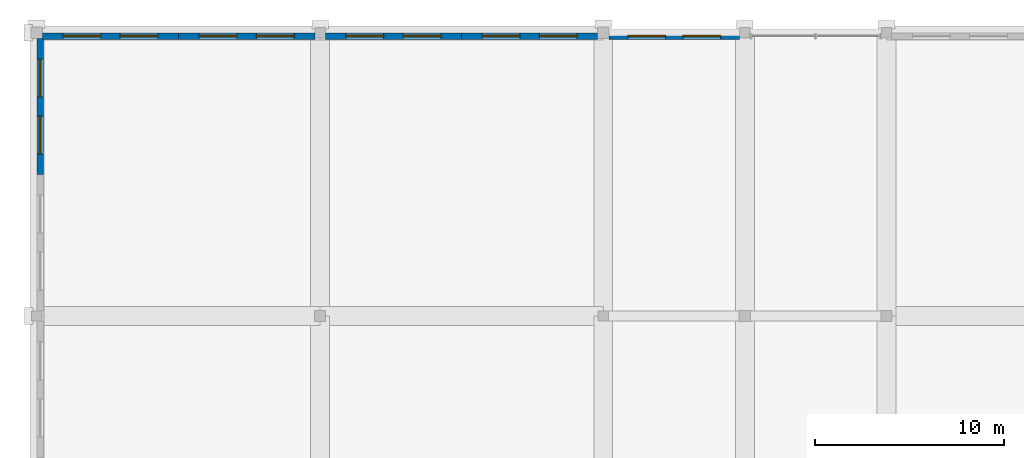
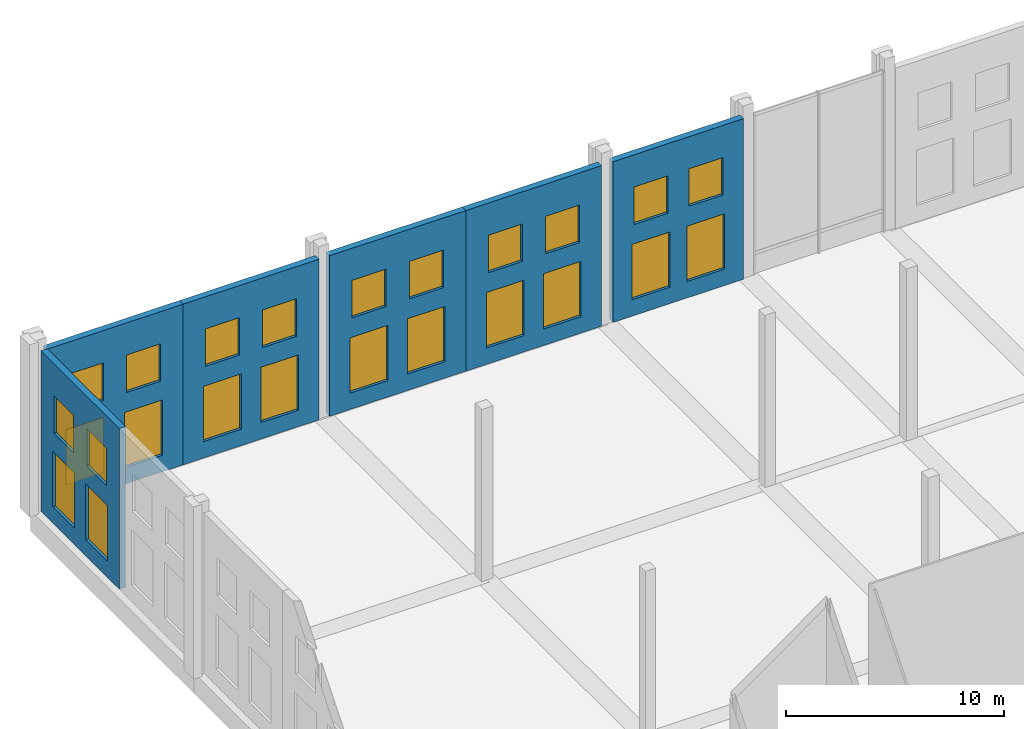
# One storey, part 67 of 80: 24 windows, 6 walls, 24 openings.
"""IFC4 building model written with IfcOpenShell, lengths in metres."""

from ifc_helpers import new_model, si_unit, direction, frame, frame_2d, origin, place, context, subcontext, project, spatial, rectangle, extrude, material, layer, layer_set, type_object, element, fill, save


model = new_model("IFC4")

# Units and contexts
model_context = context("Model", 3, precision=1e-05, world=origin(), true_north=direction((0.0, 1.0)))
body_context = subcontext(model_context, "Body", "Model", "MODEL_VIEW")
ifc_project = project(units=[si_unit("LENGTHUNIT", "METRE"), si_unit("AREAUNIT", "SQUARE_METRE"), si_unit("VOLUMEUNIT", "CUBIC_METRE"), si_unit("PLANEANGLEUNIT", "RADIAN"), si_unit("MASSUNIT", "GRAM", prefix="KILO")], contexts=[model_context])

# Site, building, storey
site_placement = place(None, origin())
site = spatial("IfcSite", under=ifc_project, at=site_placement, CompositionType="ELEMENT")
building_placement = place(site_placement, origin())
building = spatial("IfcBuilding", under=site, at=building_placement, Name="Akrevak Sports Hall", CompositionType="ELEMENT")
storey_placement = place(building_placement, frame((0.0, 0.0, 14.0)))
storey = spatial("IfcBuildingStorey", under=building, at=storey_placement, Name="L03", CompositionType="ELEMENT", Elevation=14.0)

# Wall, openings, windows
ifc_material_1 = material(Name="Limestone Ashlar", Category="stone")
ifc_layer_1 = layer(ifc_material_1, 0.070068359375, Name="Limestone Ashlar")
ifc_material_2 = material(Name="Mineral Wool Thermal Insulation", Category="insulation")
ifc_layer_2 = layer(ifc_material_2, 0.10009765625, Name="Mineral Wool Thermal Insulation")
ifc_material_3 = material(Name="Concrete C40/50", Category="concrete")
ifc_layer_3 = layer(ifc_material_3, 0.169921875, Name="Concrete C40/50")
ifc_layer_set = layer_set([ifc_layer_1, ifc_layer_2, ifc_layer_3], Name="Limestone Ashlar / Mineral Wool Thermal Insulation / Concrete C40/50")
wall_type = type_object("IfcWallType", Name="ARC-WL-EXT-340", PredefinedType="SOLIDWALL", material=ifc_layer_set)
wall_1_placement = place(storey_placement, frame((7.5, 113.830078125, 0.0), z_axis=(0.0, 0.0, 1.0), x_axis=(-1.0, 0.0, 0.0)))
wall_1 = element("IfcWall", 1, at=wall_1_placement, inside=storey, type_object=wall_type, Name="Exterior Limestone Wall L03-N01", PredefinedType="SOLIDWALL", context=body_context, shape_type="SweptSolid", body=[
    extrude(rectangle(XDim=7.199951171875, YDim=0.340087890625, at=frame_2d((3.60009765625, 0.0))), origin(), (0.0, 0.0, 1.0), 9.0),
])
opening_1_placement = place(wall_1_placement, frame((4.112060546875, 0.0, 0.919921875)))
opening_1 = element("IfcOpeningElement", 2, at=opening_1_placement, cuts=wall_1, Name="Opening WN-41", PredefinedType="OPENING", context=body_context, shape_type="SweptSolid", body=[
    extrude(rectangle(XDim=2.0, YDim=3.10009765625, at=frame_2d((1.0, 1.550048828125))), frame((0.0, 0.18212890625, 0.0), z_axis=(0.0, -1.0, 0.0), x_axis=(1.0, 0.0, 0.0)), (0.0, 0.0, 1.0), 0.364013671875),
])
opening_2_placement = place(wall_1_placement, frame((4.2119140625, 0.0, 5.10009765625)))
opening_2 = element("IfcOpeningElement", 3, at=opening_2_placement, cuts=wall_1, Name="Opening WN-37", PredefinedType="OPENING", context=body_context, shape_type="SweptSolid", body=[
    extrude(rectangle(XDim=1.800048828125, YDim=2.10009765625, at=frame_2d((0.89990234375, 1.050048828125))), frame((0.0, 0.18212890625, 0.0), z_axis=(0.0, -1.0, 0.0), x_axis=(1.0, 0.0, 0.0)), (0.0, 0.0, 1.0), 0.364013671875),
])
opening_3_placement = place(wall_1_placement, frame((1.087890625, 0.0, 0.919921875)))
opening_3 = element("IfcOpeningElement", 4, at=opening_3_placement, cuts=wall_1, Name="Opening WN-41", PredefinedType="OPENING", context=body_context, shape_type="SweptSolid", body=[
    extrude(rectangle(XDim=2.0, YDim=3.10009765625, at=frame_2d((1.0, 1.550048828125))), frame((0.0, 0.18212890625, 0.0), z_axis=(0.0, -1.0, 0.0), x_axis=(1.0, 0.0, 0.0)), (0.0, 0.0, 1.0), 0.364013671875),
])
opening_4_placement = place(wall_1_placement, frame((1.18798828125, 0.0, 5.10009765625)))
opening_4 = element("IfcOpeningElement", 5, at=opening_4_placement, cuts=wall_1, Name="Opening WN-37", PredefinedType="OPENING", context=body_context, shape_type="SweptSolid", body=[
    extrude(rectangle(XDim=1.800048828125, YDim=2.10009765625, at=frame_2d((0.89990234375, 1.050048828125))), frame((0.0, 0.18212890625, 0.0), z_axis=(0.0, -1.0, 0.0), x_axis=(1.0, 0.0, 0.0)), (0.0, 0.0, 1.0), 0.364013671875),
])
ifc_material_4 = material(Name="Thermally Broken Bronze Frame & Double Low-E Glass", Category="glass")
window_type_1 = type_object("IfcWindowType", Name="ARC-WIN-SZ-1800x2100", PartitioningType="SINGLE_PANEL", PredefinedType="WINDOW", material=ifc_material_4)
window_1_placement = place(opening_2_placement, origin())
window_1 = element("IfcWindow", 6, at=window_1_placement, inside=storey, type_object=window_type_1, Name="Beaux-Arts Attic Clerestory Window WIN-L03-N01-1U", OverallHeight=2.10009765625, OverallWidth=1.800048828125, PartitioningType="SINGLE_PANEL", PredefinedType="WINDOW", context=body_context, shape_type="SweptSolid", body=[
    extrude(rectangle(XDim=1.800048828125, YDim=2.10009765625, at=frame_2d((0.89990234375, 1.050048828125))), frame((0.0, 0.030029296875, 0.0), z_axis=(0.0, -1.0, 0.0), x_axis=(1.0, 0.0, 0.0)), (0.0, 0.0, 1.0), 0.06005859375),
])
fill(opening_2, window_1)
window_2_placement = place(opening_4_placement, origin())
window_2 = element("IfcWindow", 7, at=window_2_placement, inside=storey, type_object=window_type_1, Name="Beaux-Arts Attic Clerestory Window WIN-L03-N01-2U", OverallHeight=2.10009765625, OverallWidth=1.800048828125, PartitioningType="SINGLE_PANEL", PredefinedType="WINDOW", context=body_context, shape_type="SweptSolid", body=[
    extrude(rectangle(XDim=1.800048828125, YDim=2.10009765625, at=frame_2d((0.89990234375, 1.050048828125))), frame((0.0, 0.030029296875, 0.0), z_axis=(0.0, -1.0, 0.0), x_axis=(1.0, 0.0, 0.0)), (0.0, 0.0, 1.0), 0.06005859375),
])
fill(opening_4, window_2)
window_type_2 = type_object("IfcWindowType", Name="ARC-WIN-SZ-2000x3100", PartitioningType="SINGLE_PANEL", PredefinedType="WINDOW", material=ifc_material_4)
window_3_placement = place(opening_1_placement, origin())
window_3 = element("IfcWindow", 8, at=window_3_placement, inside=storey, type_object=window_type_2, Name="Beaux-Arts Facade Window WIN-L03-N01-1", OverallHeight=3.10009765625, OverallWidth=2.0, PartitioningType="SINGLE_PANEL", PredefinedType="WINDOW", context=body_context, shape_type="SweptSolid", body=[
    extrude(rectangle(XDim=2.0, YDim=3.10009765625, at=frame_2d((1.0, 1.550048828125))), frame((0.0, 0.030029296875, 0.0), z_axis=(0.0, -1.0, 0.0), x_axis=(1.0, 0.0, 0.0)), (0.0, 0.0, 1.0), 0.06005859375),
])
fill(opening_1, window_3)
window_4_placement = place(opening_3_placement, origin())
window_4 = element("IfcWindow", 9, at=window_4_placement, inside=storey, type_object=window_type_2, Name="Beaux-Arts Facade Window WIN-L03-N01-2", OverallHeight=3.10009765625, OverallWidth=2.0, PartitioningType="SINGLE_PANEL", PredefinedType="WINDOW", context=body_context, shape_type="SweptSolid", body=[
    extrude(rectangle(XDim=2.0, YDim=3.10009765625, at=frame_2d((1.0, 1.550048828125))), frame((0.0, 0.030029296875, 0.0), z_axis=(0.0, -1.0, 0.0), x_axis=(1.0, 0.0, 0.0)), (0.0, 0.0, 1.0), 0.06005859375),
])
fill(opening_3, window_4)

wall_2_placement = place(storey_placement, frame((14.72509765625, 113.830078125, 0.0), z_axis=(0.0, 0.0, 1.0), x_axis=(-1.0, 0.0, 0.0)))
wall_2 = element("IfcWall", 10, at=wall_2_placement, inside=storey, type_object=wall_type, Name="Exterior Limestone Wall L03-N02", PredefinedType="SOLIDWALL", context=body_context, shape_type="SweptSolid", body=[
    extrude(rectangle(XDim=7.22509765625, YDim=0.340087890625, at=frame_2d((3.612548828125, 0.0))), origin(), (0.0, 0.0, 1.0), 9.0),
])
opening_5_placement = place(wall_2_placement, frame((4.129638671875, 0.0, 0.919921875)))
opening_5 = element("IfcOpeningElement", 11, at=opening_5_placement, cuts=wall_2, Name="Opening WN-41", PredefinedType="OPENING", context=body_context, shape_type="SweptSolid", body=[
    extrude(rectangle(XDim=2.0, YDim=3.10009765625, at=frame_2d((1.0, 1.550048828125))), frame((0.0, 0.18212890625, 0.0), z_axis=(0.0, -1.0, 0.0), x_axis=(1.0, 0.0, 0.0)), (0.0, 0.0, 1.0), 0.364013671875),
])
opening_6_placement = place(wall_2_placement, frame((4.229736328125, 0.0, 5.10009765625)))
opening_6 = element("IfcOpeningElement", 12, at=opening_6_placement, cuts=wall_2, Name="Opening WN-37", PredefinedType="OPENING", context=body_context, shape_type="SweptSolid", body=[
    extrude(rectangle(XDim=1.800048828125, YDim=2.10009765625, at=frame_2d((0.89990234375, 1.050048828125))), frame((0.0, 0.18212890625, 0.0), z_axis=(0.0, -1.0, 0.0), x_axis=(1.0, 0.0, 0.0)), (0.0, 0.0, 1.0), 0.364013671875),
])
opening_7_placement = place(wall_2_placement, frame((1.09521484375, 0.0, 0.919921875)))
opening_7 = element("IfcOpeningElement", 13, at=opening_7_placement, cuts=wall_2, Name="Opening WN-41", PredefinedType="OPENING", context=body_context, shape_type="SweptSolid", body=[
    extrude(rectangle(XDim=2.0, YDim=3.10009765625, at=frame_2d((1.0, 1.550048828125))), frame((0.0, 0.18212890625, 0.0), z_axis=(0.0, -1.0, 0.0), x_axis=(1.0, 0.0, 0.0)), (0.0, 0.0, 1.0), 0.364013671875),
])
opening_8_placement = place(wall_2_placement, frame((1.1953125, 0.0, 5.10009765625)))
opening_8 = element("IfcOpeningElement", 14, at=opening_8_placement, cuts=wall_2, Name="Opening WN-37", PredefinedType="OPENING", context=body_context, shape_type="SweptSolid", body=[
    extrude(rectangle(XDim=1.800048828125, YDim=2.10009765625, at=frame_2d((0.89990234375, 1.050048828125))), frame((0.0, 0.18212890625, 0.0), z_axis=(0.0, -1.0, 0.0), x_axis=(1.0, 0.0, 0.0)), (0.0, 0.0, 1.0), 0.364013671875),
])
window_5_placement = place(opening_6_placement, origin())
window_5 = element("IfcWindow", 15, at=window_5_placement, inside=storey, type_object=window_type_1, Name="Beaux-Arts Attic Clerestory Window WIN-L03-N02-1U", OverallHeight=2.10009765625, OverallWidth=1.800048828125, PartitioningType="SINGLE_PANEL", PredefinedType="WINDOW", context=body_context, shape_type="SweptSolid", body=[
    extrude(rectangle(XDim=1.800048828125, YDim=2.10009765625, at=frame_2d((0.89990234375, 1.050048828125))), frame((0.0, 0.030029296875, 0.0), z_axis=(0.0, -1.0, 0.0), x_axis=(1.0, 0.0, 0.0)), (0.0, 0.0, 1.0), 0.06005859375),
])
fill(opening_6, window_5)
window_6_placement = place(opening_8_placement, origin())
window_6 = element("IfcWindow", 16, at=window_6_placement, inside=storey, type_object=window_type_1, Name="Beaux-Arts Attic Clerestory Window WIN-L03-N02-2U", OverallHeight=2.10009765625, OverallWidth=1.800048828125, PartitioningType="SINGLE_PANEL", PredefinedType="WINDOW", context=body_context, shape_type="SweptSolid", body=[
    extrude(rectangle(XDim=1.800048828125, YDim=2.10009765625, at=frame_2d((0.89990234375, 1.050048828125))), frame((0.0, 0.030029296875, 0.0), z_axis=(0.0, -1.0, 0.0), x_axis=(1.0, 0.0, 0.0)), (0.0, 0.0, 1.0), 0.06005859375),
])
fill(opening_8, window_6)
window_7_placement = place(opening_5_placement, origin())
window_7 = element("IfcWindow", 17, at=window_7_placement, inside=storey, type_object=window_type_2, Name="Beaux-Arts Facade Window WIN-L03-N02-1", OverallHeight=3.10009765625, OverallWidth=2.0, PartitioningType="SINGLE_PANEL", PredefinedType="WINDOW", context=body_context, shape_type="SweptSolid", body=[
    extrude(rectangle(XDim=2.0, YDim=3.10009765625, at=frame_2d((1.0, 1.550048828125))), frame((0.0, 0.030029296875, 0.0), z_axis=(0.0, -1.0, 0.0), x_axis=(1.0, 0.0, 0.0)), (0.0, 0.0, 1.0), 0.06005859375),
])
fill(opening_5, window_7)
window_8_placement = place(opening_7_placement, origin())
window_8 = element("IfcWindow", 18, at=window_8_placement, inside=storey, type_object=window_type_2, Name="Beaux-Arts Facade Window WIN-L03-N02-2", OverallHeight=3.10009765625, OverallWidth=2.0, PartitioningType="SINGLE_PANEL", PredefinedType="WINDOW", context=body_context, shape_type="SweptSolid", body=[
    extrude(rectangle(XDim=2.0, YDim=3.10009765625, at=frame_2d((1.0, 1.550048828125))), frame((0.0, 0.030029296875, 0.0), z_axis=(0.0, -1.0, 0.0), x_axis=(1.0, 0.0, 0.0)), (0.0, 0.0, 1.0), 0.06005859375),
])
fill(opening_7, window_8)

wall_3_placement = place(storey_placement, frame((22.5, 113.830078125, 0.0), z_axis=(0.0, 0.0, 1.0), x_axis=(-1.0, 0.0, 0.0)))
wall_3 = element("IfcWall", 19, at=wall_3_placement, inside=storey, type_object=wall_type, Name="Exterior Limestone Wall L03-N03", PredefinedType="SOLIDWALL", context=body_context, shape_type="SweptSolid", body=[
    extrude(rectangle(XDim=7.22509765625, YDim=0.340087890625, at=frame_2d((3.612548828125, 0.0))), origin(), (0.0, 0.0, 1.0), 9.0),
])
opening_9_placement = place(wall_3_placement, frame((4.1298828125, 0.0, 0.919921875)))
opening_9 = element("IfcOpeningElement", 20, at=opening_9_placement, cuts=wall_3, Name="Opening WN-41", PredefinedType="OPENING", context=body_context, shape_type="SweptSolid", body=[
    extrude(rectangle(XDim=2.0, YDim=3.10009765625, at=frame_2d((1.0, 1.550048828125))), frame((0.0, 0.18212890625, 0.0), z_axis=(0.0, -1.0, 0.0), x_axis=(1.0, 0.0, 0.0)), (0.0, 0.0, 1.0), 0.364013671875),
])
opening_10_placement = place(wall_3_placement, frame((4.229736328125, 0.0, 5.10009765625)))
opening_10 = element("IfcOpeningElement", 21, at=opening_10_placement, cuts=wall_3, Name="Opening WN-37", PredefinedType="OPENING", context=body_context, shape_type="SweptSolid", body=[
    extrude(rectangle(XDim=1.800048828125, YDim=2.10009765625, at=frame_2d((0.89990234375, 1.050048828125))), frame((0.0, 0.18212890625, 0.0), z_axis=(0.0, -1.0, 0.0), x_axis=(1.0, 0.0, 0.0)), (0.0, 0.0, 1.0), 0.364013671875),
])
opening_11_placement = place(wall_3_placement, frame((1.09521484375, 0.0, 0.919921875)))
opening_11 = element("IfcOpeningElement", 22, at=opening_11_placement, cuts=wall_3, Name="Opening WN-41", PredefinedType="OPENING", context=body_context, shape_type="SweptSolid", body=[
    extrude(rectangle(XDim=2.0, YDim=3.10009765625, at=frame_2d((1.0, 1.550048828125))), frame((0.0, 0.18212890625, 0.0), z_axis=(0.0, -1.0, 0.0), x_axis=(1.0, 0.0, 0.0)), (0.0, 0.0, 1.0), 0.364013671875),
])
opening_12_placement = place(wall_3_placement, frame((1.1953125, 0.0, 5.10009765625)))
opening_12 = element("IfcOpeningElement", 23, at=opening_12_placement, cuts=wall_3, Name="Opening WN-37", PredefinedType="OPENING", context=body_context, shape_type="SweptSolid", body=[
    extrude(rectangle(XDim=1.800048828125, YDim=2.10009765625, at=frame_2d((0.89990234375, 1.050048828125))), frame((0.0, 0.18212890625, 0.0), z_axis=(0.0, -1.0, 0.0), x_axis=(1.0, 0.0, 0.0)), (0.0, 0.0, 1.0), 0.364013671875),
])
window_9_placement = place(opening_10_placement, origin())
window_9 = element("IfcWindow", 24, at=window_9_placement, inside=storey, type_object=window_type_1, Name="Beaux-Arts Attic Clerestory Window WIN-L03-N03-1U", OverallHeight=2.10009765625, OverallWidth=1.800048828125, PartitioningType="SINGLE_PANEL", PredefinedType="WINDOW", context=body_context, shape_type="SweptSolid", body=[
    extrude(rectangle(XDim=1.800048828125, YDim=2.10009765625, at=frame_2d((0.89990234375, 1.050048828125))), frame((0.0, 0.030029296875, 0.0), z_axis=(0.0, -1.0, 0.0), x_axis=(1.0, 0.0, 0.0)), (0.0, 0.0, 1.0), 0.06005859375),
])
fill(opening_10, window_9)
window_10_placement = place(opening_12_placement, origin())
window_10 = element("IfcWindow", 25, at=window_10_placement, inside=storey, type_object=window_type_1, Name="Beaux-Arts Attic Clerestory Window WIN-L03-N03-2U", OverallHeight=2.10009765625, OverallWidth=1.800048828125, PartitioningType="SINGLE_PANEL", PredefinedType="WINDOW", context=body_context, shape_type="SweptSolid", body=[
    extrude(rectangle(XDim=1.800048828125, YDim=2.10009765625, at=frame_2d((0.89990234375, 1.050048828125))), frame((0.0, 0.030029296875, 0.0), z_axis=(0.0, -1.0, 0.0), x_axis=(1.0, 0.0, 0.0)), (0.0, 0.0, 1.0), 0.06005859375),
])
fill(opening_12, window_10)
window_11_placement = place(opening_9_placement, origin())
window_11 = element("IfcWindow", 26, at=window_11_placement, inside=storey, type_object=window_type_2, Name="Beaux-Arts Facade Window WIN-L03-N03-1", OverallHeight=3.10009765625, OverallWidth=2.0, PartitioningType="SINGLE_PANEL", PredefinedType="WINDOW", context=body_context, shape_type="SweptSolid", body=[
    extrude(rectangle(XDim=2.0, YDim=3.10009765625, at=frame_2d((1.0, 1.550048828125))), frame((0.0, 0.030029296875, 0.0), z_axis=(0.0, -1.0, 0.0), x_axis=(1.0, 0.0, 0.0)), (0.0, 0.0, 1.0), 0.06005859375),
])
fill(opening_9, window_11)
window_12_placement = place(opening_11_placement, origin())
window_12 = element("IfcWindow", 27, at=window_12_placement, inside=storey, type_object=window_type_2, Name="Beaux-Arts Facade Window WIN-L03-N03-2", OverallHeight=3.10009765625, OverallWidth=2.0, PartitioningType="SINGLE_PANEL", PredefinedType="WINDOW", context=body_context, shape_type="SweptSolid", body=[
    extrude(rectangle(XDim=2.0, YDim=3.10009765625, at=frame_2d((1.0, 1.550048828125))), frame((0.0, 0.030029296875, 0.0), z_axis=(0.0, -1.0, 0.0), x_axis=(1.0, 0.0, 0.0)), (0.0, 0.0, 1.0), 0.06005859375),
])
fill(opening_11, window_12)

wall_4_placement = place(storey_placement, frame((29.699951171875, 113.830078125, 0.0), z_axis=(0.0, 0.0, 1.0), x_axis=(-1.0, 0.0, 0.0)))
wall_4 = element("IfcWall", 28, at=wall_4_placement, inside=storey, type_object=wall_type, Name="Exterior Limestone Wall L03-N04", PredefinedType="SOLIDWALL", context=body_context, shape_type="SweptSolid", body=[
    extrude(rectangle(XDim=7.199951171875, YDim=0.340087890625, at=frame_2d((3.60009765625, 0.0))), origin(), (0.0, 0.0, 1.0), 9.0),
])
opening_13_placement = place(wall_4_placement, frame((4.112060546875, 0.0, 0.919921875)))
opening_13 = element("IfcOpeningElement", 29, at=opening_13_placement, cuts=wall_4, Name="Opening WN-41", PredefinedType="OPENING", context=body_context, shape_type="SweptSolid", body=[
    extrude(rectangle(XDim=2.0, YDim=3.10009765625, at=frame_2d((1.0, 1.550048828125))), frame((0.0, 0.18212890625, 0.0), z_axis=(0.0, -1.0, 0.0), x_axis=(1.0, 0.0, 0.0)), (0.0, 0.0, 1.0), 0.364013671875),
])
opening_14_placement = place(wall_4_placement, frame((4.2119140625, 0.0, 5.10009765625)))
opening_14 = element("IfcOpeningElement", 30, at=opening_14_placement, cuts=wall_4, Name="Opening WN-37", PredefinedType="OPENING", context=body_context, shape_type="SweptSolid", body=[
    extrude(rectangle(XDim=1.800048828125, YDim=2.10009765625, at=frame_2d((0.89990234375, 1.050048828125))), frame((0.0, 0.18212890625, 0.0), z_axis=(0.0, -1.0, 0.0), x_axis=(1.0, 0.0, 0.0)), (0.0, 0.0, 1.0), 0.364013671875),
])
opening_15_placement = place(wall_4_placement, frame((1.087890625, 0.0, 0.919921875)))
opening_15 = element("IfcOpeningElement", 31, at=opening_15_placement, cuts=wall_4, Name="Opening WN-41", PredefinedType="OPENING", context=body_context, shape_type="SweptSolid", body=[
    extrude(rectangle(XDim=2.0, YDim=3.10009765625, at=frame_2d((1.0, 1.550048828125))), frame((0.0, 0.18212890625, 0.0), z_axis=(0.0, -1.0, 0.0), x_axis=(1.0, 0.0, 0.0)), (0.0, 0.0, 1.0), 0.364013671875),
])
opening_16_placement = place(wall_4_placement, frame((1.18798828125, 0.0, 5.10009765625)))
opening_16 = element("IfcOpeningElement", 32, at=opening_16_placement, cuts=wall_4, Name="Opening WN-37", PredefinedType="OPENING", context=body_context, shape_type="SweptSolid", body=[
    extrude(rectangle(XDim=1.800048828125, YDim=2.10009765625, at=frame_2d((0.89990234375, 1.050048828125))), frame((0.0, 0.18212890625, 0.0), z_axis=(0.0, -1.0, 0.0), x_axis=(1.0, 0.0, 0.0)), (0.0, 0.0, 1.0), 0.364013671875),
])
window_13_placement = place(opening_14_placement, origin())
window_13 = element("IfcWindow", 33, at=window_13_placement, inside=storey, type_object=window_type_1, Name="Beaux-Arts Attic Clerestory Window WIN-L03-N04-1U", OverallHeight=2.10009765625, OverallWidth=1.800048828125, PartitioningType="SINGLE_PANEL", PredefinedType="WINDOW", context=body_context, shape_type="SweptSolid", body=[
    extrude(rectangle(XDim=1.800048828125, YDim=2.10009765625, at=frame_2d((0.89990234375, 1.050048828125))), frame((0.0, 0.030029296875, 0.0), z_axis=(0.0, -1.0, 0.0), x_axis=(1.0, 0.0, 0.0)), (0.0, 0.0, 1.0), 0.06005859375),
])
fill(opening_14, window_13)
window_14_placement = place(opening_16_placement, origin())
window_14 = element("IfcWindow", 34, at=window_14_placement, inside=storey, type_object=window_type_1, Name="Beaux-Arts Attic Clerestory Window WIN-L03-N04-2U", OverallHeight=2.10009765625, OverallWidth=1.800048828125, PartitioningType="SINGLE_PANEL", PredefinedType="WINDOW", context=body_context, shape_type="SweptSolid", body=[
    extrude(rectangle(XDim=1.800048828125, YDim=2.10009765625, at=frame_2d((0.89990234375, 1.050048828125))), frame((0.0, 0.030029296875, 0.0), z_axis=(0.0, -1.0, 0.0), x_axis=(1.0, 0.0, 0.0)), (0.0, 0.0, 1.0), 0.06005859375),
])
fill(opening_16, window_14)
window_15_placement = place(opening_13_placement, origin())
window_15 = element("IfcWindow", 35, at=window_15_placement, inside=storey, type_object=window_type_2, Name="Beaux-Arts Facade Window WIN-L03-N04-1", OverallHeight=3.10009765625, OverallWidth=2.0, PartitioningType="SINGLE_PANEL", PredefinedType="WINDOW", context=body_context, shape_type="SweptSolid", body=[
    extrude(rectangle(XDim=2.0, YDim=3.10009765625, at=frame_2d((1.0, 1.550048828125))), frame((0.0, 0.030029296875, 0.0), z_axis=(0.0, -1.0, 0.0), x_axis=(1.0, 0.0, 0.0)), (0.0, 0.0, 1.0), 0.06005859375),
])
fill(opening_13, window_15)
window_16_placement = place(opening_15_placement, origin())
window_16 = element("IfcWindow", 36, at=window_16_placement, inside=storey, type_object=window_type_2, Name="Beaux-Arts Facade Window WIN-L03-N04-2", OverallHeight=3.10009765625, OverallWidth=2.0, PartitioningType="SINGLE_PANEL", PredefinedType="WINDOW", context=body_context, shape_type="SweptSolid", body=[
    extrude(rectangle(XDim=2.0, YDim=3.10009765625, at=frame_2d((1.0, 1.550048828125))), frame((0.0, 0.030029296875, 0.0), z_axis=(0.0, -1.0, 0.0), x_axis=(1.0, 0.0, 0.0)), (0.0, 0.0, 1.0), 0.06005859375),
])
fill(opening_15, window_16)

wall_5_placement = place(storey_placement, frame((37.22509765625, 113.830078125, 0.0), z_axis=(0.0, 0.0, 1.0), x_axis=(-1.0, 0.0, 0.0)))
wall_5 = element("IfcWall", 37, at=wall_5_placement, inside=storey, type_object=wall_type, Name="Exterior Limestone Wall L03-N05", PredefinedType="SOLIDWALL", context=body_context, shape_type="SweptSolid", body=[
    extrude(rectangle(XDim=6.925048828125, YDim=0.340087890625, at=frame_2d((3.46240234375, 0.0))), origin(), (0.0, 0.0, 1.0), 9.0),
])
opening_17_placement = place(wall_5_placement, frame((3.916748046875, 0.0, 0.919921875)))
opening_17 = element("IfcOpeningElement", 38, at=opening_17_placement, cuts=wall_5, Name="Opening WN-41", PredefinedType="OPENING", context=body_context, shape_type="SweptSolid", body=[
    extrude(rectangle(XDim=2.0, YDim=3.10009765625, at=frame_2d((1.0, 1.550048828125))), frame((0.0, 0.18212890625, 0.0), z_axis=(0.0, -1.0, 0.0), x_axis=(1.0, 0.0, 0.0)), (0.0, 0.0, 1.0), 0.364013671875),
])
opening_18_placement = place(wall_5_placement, frame((4.016845703125, 0.0, 5.10009765625)))
opening_18 = element("IfcOpeningElement", 39, at=opening_18_placement, cuts=wall_5, Name="Opening WN-37", PredefinedType="OPENING", context=body_context, shape_type="SweptSolid", body=[
    extrude(rectangle(XDim=1.800048828125, YDim=2.10009765625, at=frame_2d((0.89990234375, 1.050048828125))), frame((0.0, 0.18212890625, 0.0), z_axis=(0.0, -1.0, 0.0), x_axis=(1.0, 0.0, 0.0)), (0.0, 0.0, 1.0), 0.364013671875),
])
opening_19_placement = place(wall_5_placement, frame((1.00830078125, 0.0, 0.919921875)))
opening_19 = element("IfcOpeningElement", 40, at=opening_19_placement, cuts=wall_5, Name="Opening WN-41", PredefinedType="OPENING", context=body_context, shape_type="SweptSolid", body=[
    extrude(rectangle(XDim=2.0, YDim=3.10009765625, at=frame_2d((1.0, 1.550048828125))), frame((0.0, 0.18212890625, 0.0), z_axis=(0.0, -1.0, 0.0), x_axis=(1.0, 0.0, 0.0)), (0.0, 0.0, 1.0), 0.364013671875),
])
opening_20_placement = place(wall_5_placement, frame((1.1083984375, 0.0, 5.10009765625)))
opening_20 = element("IfcOpeningElement", 41, at=opening_20_placement, cuts=wall_5, Name="Opening WN-37", PredefinedType="OPENING", context=body_context, shape_type="SweptSolid", body=[
    extrude(rectangle(XDim=1.800048828125, YDim=2.10009765625, at=frame_2d((0.89990234375, 1.050048828125))), frame((0.0, 0.18212890625, 0.0), z_axis=(0.0, -1.0, 0.0), x_axis=(1.0, 0.0, 0.0)), (0.0, 0.0, 1.0), 0.364013671875),
])
window_17_placement = place(opening_18_placement, origin())
window_17 = element("IfcWindow", 42, at=window_17_placement, inside=storey, type_object=window_type_1, Name="Beaux-Arts Attic Clerestory Window WIN-L03-N05-1U", OverallHeight=2.10009765625, OverallWidth=1.800048828125, PartitioningType="SINGLE_PANEL", PredefinedType="WINDOW", context=body_context, shape_type="SweptSolid", body=[
    extrude(rectangle(XDim=1.800048828125, YDim=2.10009765625, at=frame_2d((0.89990234375, 1.050048828125))), frame((0.0, 0.030029296875, 0.0), z_axis=(0.0, -1.0, 0.0), x_axis=(1.0, 0.0, 0.0)), (0.0, 0.0, 1.0), 0.06005859375),
])
fill(opening_18, window_17)
window_18_placement = place(opening_20_placement, origin())
window_18 = element("IfcWindow", 43, at=window_18_placement, inside=storey, type_object=window_type_1, Name="Beaux-Arts Attic Clerestory Window WIN-L03-N05-2U", OverallHeight=2.10009765625, OverallWidth=1.800048828125, PartitioningType="SINGLE_PANEL", PredefinedType="WINDOW", context=body_context, shape_type="SweptSolid", body=[
    extrude(rectangle(XDim=1.800048828125, YDim=2.10009765625, at=frame_2d((0.89990234375, 1.050048828125))), frame((0.0, 0.030029296875, 0.0), z_axis=(0.0, -1.0, 0.0), x_axis=(1.0, 0.0, 0.0)), (0.0, 0.0, 1.0), 0.06005859375),
])
fill(opening_20, window_18)
window_19_placement = place(opening_17_placement, origin())
window_19 = element("IfcWindow", 44, at=window_19_placement, inside=storey, type_object=window_type_2, Name="Beaux-Arts Facade Window WIN-L03-N05-1", OverallHeight=3.10009765625, OverallWidth=2.0, PartitioningType="SINGLE_PANEL", PredefinedType="WINDOW", context=body_context, shape_type="SweptSolid", body=[
    extrude(rectangle(XDim=2.0, YDim=3.10009765625, at=frame_2d((1.0, 1.550048828125))), frame((0.0, 0.030029296875, 0.0), z_axis=(0.0, -1.0, 0.0), x_axis=(1.0, 0.0, 0.0)), (0.0, 0.0, 1.0), 0.06005859375),
])
fill(opening_17, window_19)
window_20_placement = place(opening_19_placement, origin())
window_20 = element("IfcWindow", 45, at=window_20_placement, inside=storey, type_object=window_type_2, Name="Beaux-Arts Facade Window WIN-L03-N05-2", OverallHeight=3.10009765625, OverallWidth=2.0, PartitioningType="SINGLE_PANEL", PredefinedType="WINDOW", context=body_context, shape_type="SweptSolid", body=[
    extrude(rectangle(XDim=2.0, YDim=3.10009765625, at=frame_2d((1.0, 1.550048828125))), frame((0.0, 0.030029296875, 0.0), z_axis=(0.0, -1.0, 0.0), x_axis=(1.0, 0.0, 0.0)), (0.0, 0.0, 1.0), 0.06005859375),
])
fill(opening_19, window_20)

wall_6_placement = place(storey_placement, frame((0.169921875, 113.699951171875, 0.0), z_axis=(0.0, 0.0, 1.0), x_axis=(0.0, -1.0, 0.0)))
wall_6 = element("IfcWall", 46, at=wall_6_placement, inside=storey, type_object=wall_type, Name="Exterior Limestone Wall L03-W14", PredefinedType="SOLIDWALL", context=body_context, shape_type="SweptSolid", body=[
    extrude(rectangle(XDim=7.199951171875, YDim=0.340087890625, at=frame_2d((3.60009765625, 0.0))), origin(), (0.0, 0.0, 1.0), 9.0),
])
opening_21_placement = place(wall_6_placement, frame((4.112060546875, 0.0, 0.919921875)))
opening_21 = element("IfcOpeningElement", 47, at=opening_21_placement, cuts=wall_6, Name="Opening WN-41", PredefinedType="OPENING", context=body_context, shape_type="SweptSolid", body=[
    extrude(rectangle(XDim=2.0, YDim=3.10009765625, at=frame_2d((1.0, 1.550048828125))), frame((0.0, 0.18212890625, 0.0), z_axis=(0.0, -1.0, 0.0), x_axis=(1.0, 0.0, 0.0)), (0.0, 0.0, 1.0), 0.364013671875),
])
opening_22_placement = place(wall_6_placement, frame((4.2119140625, 0.0, 5.10009765625)))
opening_22 = element("IfcOpeningElement", 48, at=opening_22_placement, cuts=wall_6, Name="Opening WN-37", PredefinedType="OPENING", context=body_context, shape_type="SweptSolid", body=[
    extrude(rectangle(XDim=1.800048828125, YDim=2.10009765625, at=frame_2d((0.89990234375, 1.050048828125))), frame((0.0, 0.18212890625, 0.0), z_axis=(0.0, -1.0, 0.0), x_axis=(1.0, 0.0, 0.0)), (0.0, 0.0, 1.0), 0.364013671875),
])
opening_23_placement = place(wall_6_placement, frame((1.087890625, 0.0, 0.919921875)))
opening_23 = element("IfcOpeningElement", 49, at=opening_23_placement, cuts=wall_6, Name="Opening WN-41", PredefinedType="OPENING", context=body_context, shape_type="SweptSolid", body=[
    extrude(rectangle(XDim=2.0, YDim=3.10009765625, at=frame_2d((1.0, 1.550048828125))), frame((0.0, 0.18212890625, 0.0), z_axis=(0.0, -1.0, 0.0), x_axis=(1.0, 0.0, 0.0)), (0.0, 0.0, 1.0), 0.364013671875),
])
opening_24_placement = place(wall_6_placement, frame((1.18798828125, 0.0, 5.10009765625)))
opening_24 = element("IfcOpeningElement", 50, at=opening_24_placement, cuts=wall_6, Name="Opening WN-37", PredefinedType="OPENING", context=body_context, shape_type="SweptSolid", body=[
    extrude(rectangle(XDim=1.800048828125, YDim=2.10009765625, at=frame_2d((0.89990234375, 1.050048828125))), frame((0.0, 0.18212890625, 0.0), z_axis=(0.0, -1.0, 0.0), x_axis=(1.0, 0.0, 0.0)), (0.0, 0.0, 1.0), 0.364013671875),
])
window_21_placement = place(opening_22_placement, origin())
window_21 = element("IfcWindow", 51, at=window_21_placement, inside=storey, type_object=window_type_1, Name="Beaux-Arts Attic Clerestory Window WIN-L03-W14-1U", OverallHeight=2.10009765625, OverallWidth=1.800048828125, PartitioningType="SINGLE_PANEL", PredefinedType="WINDOW", context=body_context, shape_type="SweptSolid", body=[
    extrude(rectangle(XDim=1.800048828125, YDim=2.10009765625, at=frame_2d((0.89990234375, 1.050048828125))), frame((0.0, 0.030029296875, 0.0), z_axis=(0.0, -1.0, 0.0), x_axis=(1.0, 0.0, 0.0)), (0.0, 0.0, 1.0), 0.06005859375),
])
fill(opening_22, window_21)
window_22_placement = place(opening_24_placement, origin())
window_22 = element("IfcWindow", 52, at=window_22_placement, inside=storey, type_object=window_type_1, Name="Beaux-Arts Attic Clerestory Window WIN-L03-W14-2U", OverallHeight=2.10009765625, OverallWidth=1.800048828125, PartitioningType="SINGLE_PANEL", PredefinedType="WINDOW", context=body_context, shape_type="SweptSolid", body=[
    extrude(rectangle(XDim=1.800048828125, YDim=2.10009765625, at=frame_2d((0.89990234375, 1.050048828125))), frame((0.0, 0.030029296875, 0.0), z_axis=(0.0, -1.0, 0.0), x_axis=(1.0, 0.0, 0.0)), (0.0, 0.0, 1.0), 0.06005859375),
])
fill(opening_24, window_22)
window_23_placement = place(opening_21_placement, origin())
window_23 = element("IfcWindow", 53, at=window_23_placement, inside=storey, type_object=window_type_2, Name="Beaux-Arts Facade Window WIN-L03-W14-1", OverallHeight=3.10009765625, OverallWidth=2.0, PartitioningType="SINGLE_PANEL", PredefinedType="WINDOW", context=body_context, shape_type="SweptSolid", body=[
    extrude(rectangle(XDim=2.0, YDim=3.10009765625, at=frame_2d((1.0, 1.550048828125))), frame((0.0, 0.030029296875, 0.0), z_axis=(0.0, -1.0, 0.0), x_axis=(1.0, 0.0, 0.0)), (0.0, 0.0, 1.0), 0.06005859375),
])
fill(opening_21, window_23)
window_24_placement = place(opening_23_placement, origin())
window_24 = element("IfcWindow", 54, at=window_24_placement, inside=storey, type_object=window_type_2, Name="Beaux-Arts Facade Window WIN-L03-W14-2", OverallHeight=3.10009765625, OverallWidth=2.0, PartitioningType="SINGLE_PANEL", PredefinedType="WINDOW", context=body_context, shape_type="SweptSolid", body=[
    extrude(rectangle(XDim=2.0, YDim=3.10009765625, at=frame_2d((1.0, 1.550048828125))), frame((0.0, 0.030029296875, 0.0), z_axis=(0.0, -1.0, 0.0), x_axis=(1.0, 0.0, 0.0)), (0.0, 0.0, 1.0), 0.06005859375),
])
fill(opening_23, window_24)

save(model, "model.ifc")
